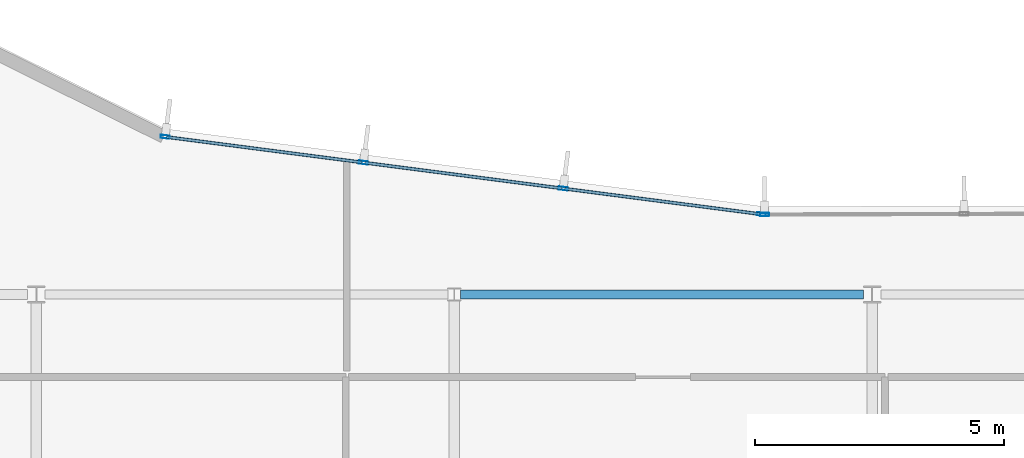
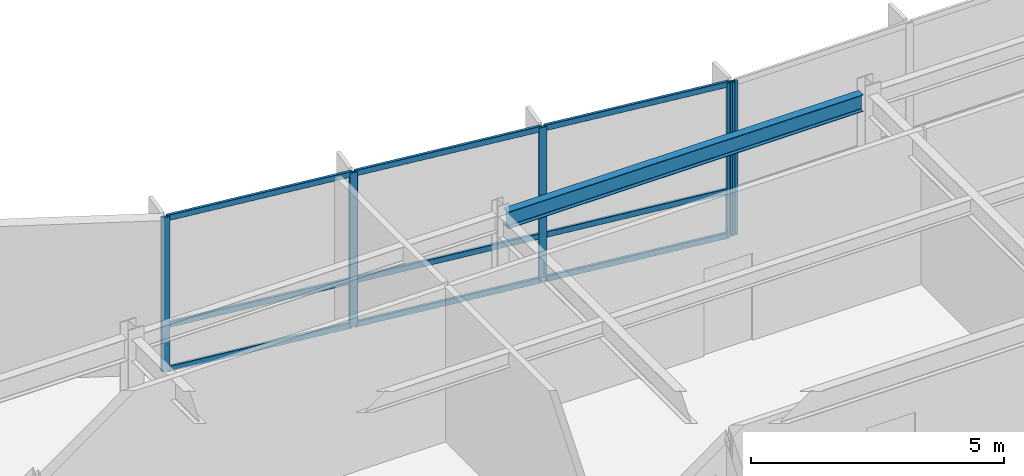
# One storey, part 6 of 15: 14 members, 1 beam, 2 elements without a shape of their own.
"""IFC4 building model written with IfcOpenShell, lengths in metres."""

from ifc_helpers import new_model, si_unit, direction, frame, origin, origin_2d, place, context, subcontext, project, spatial, hollow_rectangle, i_section, extrude, material, layer, layer_set, material_profile, profile_set, type_object, element, aggregate, save


model = new_model("IFC4")

# Units and contexts
model_context = context("Model", 3, precision=1e-05, world=origin(), true_north=direction((0.0, 1.0)))
body_context = subcontext(model_context, "Body", "Model", "MODEL_VIEW")
ifc_project = project(units=[si_unit("LENGTHUNIT", "METRE"), si_unit("AREAUNIT", "SQUARE_METRE"), si_unit("VOLUMEUNIT", "CUBIC_METRE"), si_unit("PLANEANGLEUNIT", "RADIAN"), si_unit("MASSUNIT", "GRAM", prefix="KILO")], contexts=[model_context])

# Site, building, storey
site_placement = place(None, origin())
site = spatial("IfcSite", under=ifc_project, at=site_placement, CompositionType="ELEMENT")
building_placement = place(site_placement, origin())
building = spatial("IfcBuilding", under=site, at=building_placement, Name="Varnakote Quay Hospital", CompositionType="ELEMENT")
storey_placement = place(building_placement, frame((0.0, 0.0, 252.60009765625)))
storey = spatial("IfcBuildingStorey", under=building, at=storey_placement, Name="L62", CompositionType="ELEMENT", Elevation=252.60009765625)

# Curtain wall, member
ifc_material_1 = material(Name="Anodised aluminium 6063-T6 Bronze", Category="aluminium")
ifc_layer = layer(ifc_material_1, 0.235107421875)
ifc_layer_set = layer_set([ifc_layer], Name="Anodised aluminium 6063-T6 Bronze")
curtain_wall_type = type_object("IfcCurtainWallType", Name="CW-SYS-5", PredefinedType="NOTDEFINED", material=ifc_layer_set)
curtain_wall_1_placement = place(storey_placement, origin())
curtain_wall_1 = element("IfcCurtainWall", 1, at=curtain_wall_1_placement, inside=storey, type_object=curtain_wall_type, Name="L62 Unitised Bronze Curtain Wall 1", PredefinedType="NOTDEFINED")
ifc_material_2 = material(Name="Anodised aluminium 6063-T6 Bronze", Category="aluminium")
ifc_material_profile_1 = material_profile(ifc_material_2, hollow_rectangle(XDim=0.06494140625, YDim=0.179931640625, WallThickness=0.00390625, InnerFilletRadius=0.00390625, OuterFilletRadius=0.008056640625, at=origin_2d()), Name="CW-MULL-180x65")
ifc_profile_set_1 = profile_set([ifc_material_profile_1], Name="Anodised aluminium 6063-T6 Bronze")
member_type_1 = type_object("IfcMemberType", Name="CW-MULL-180x65", PredefinedType="MULLION", material=ifc_profile_set_1)
member_1_placement = place(storey_placement, frame((31.4384765625, 30.408203125, 0.0), z_axis=(0.0, 0.0, 1.0), x_axis=(0.002604222224, -0.999996609008, 0.0)))
member_1 = element("IfcMember", 2, at=member_1_placement, type_object=member_type_1, Name="-5-L62-1 mullion 4", PredefinedType="MULLION", context=body_context, shape_type="SweptSolid", body=[
    extrude(hollow_rectangle(XDim=0.06494140625, YDim=0.179931640625, WallThickness=0.00390625, InnerFilletRadius=0.00390625, OuterFilletRadius=0.008056640625, at=origin_2d()), origin(), (0.0, 0.0, 1.0), 3.7099609375),
])
aggregate(curtain_wall_1, [member_1])

# Curtain wall, members
curtain_wall_2_placement = place(storey_placement, origin())
curtain_wall_2 = element("IfcCurtainWall", 3, at=curtain_wall_2_placement, inside=storey, type_object=curtain_wall_type, Name="L62 Unitised Bronze Curtain Wall 2", PredefinedType="NOTDEFINED")
member_2_placement = place(storey_placement, frame((31.373779296875, 30.412109375, 0.0), z_axis=(0.0, 0.0, 1.0), x_axis=(-0.128787109389, -0.99167226464, 0.0)))
member_2 = element("IfcMember", 4, at=member_2_placement, type_object=member_type_1, Name="-5-L62-2 mullion 1", PredefinedType="MULLION", context=body_context, shape_type="SweptSolid", body=[
    extrude(hollow_rectangle(XDim=0.06494140625, YDim=0.179931640625, WallThickness=0.00390625, InnerFilletRadius=0.00390625, OuterFilletRadius=0.008056640625, at=origin_2d()), origin(), (0.0, 0.0, 1.0), 3.7099609375),
])
member_3_placement = place(storey_placement, frame((27.3896484375, 30.9296875, 0.0), z_axis=(0.0, 0.0, 1.0), x_axis=(-0.128787109389, -0.99167226464, 0.0)))
member_3 = element("IfcMember", 5, at=member_3_placement, type_object=member_type_1, Name="-5-L62-2 mullion 2", PredefinedType="MULLION", context=body_context, shape_type="SweptSolid", body=[
    extrude(hollow_rectangle(XDim=0.06494140625, YDim=0.179931640625, WallThickness=0.00390625, InnerFilletRadius=0.00390625, OuterFilletRadius=0.008056640625, at=origin_2d()), origin(), (0.0, 0.0, 1.0), 3.7099609375),
])
member_4_placement = place(storey_placement, frame((23.373046875, 31.451171875, 0.0), z_axis=(0.0, 0.0, 1.0), x_axis=(-0.128787109389, -0.99167226464, 0.0)))
member_4 = element("IfcMember", 6, at=member_4_placement, type_object=member_type_1, Name="-5-L62-2 mullion 3", PredefinedType="MULLION", context=body_context, shape_type="SweptSolid", body=[
    extrude(hollow_rectangle(XDim=0.06494140625, YDim=0.179931640625, WallThickness=0.00390625, InnerFilletRadius=0.00390625, OuterFilletRadius=0.008056640625, at=origin_2d()), origin(), (0.0, 0.0, 1.0), 3.7099609375),
])
member_5_placement = place(storey_placement, frame((19.388916015625, 31.968505859375, 0.0), z_axis=(0.0, 0.0, 1.0), x_axis=(-0.128787109389, -0.99167226464, 0.0)))
member_5 = element("IfcMember", 7, at=member_5_placement, type_object=member_type_1, Name="-5-L62-2 mullion 4", PredefinedType="MULLION", context=body_context, shape_type="SweptSolid", body=[
    extrude(hollow_rectangle(XDim=0.06494140625, YDim=0.179931640625, WallThickness=0.00390625, InnerFilletRadius=0.00390625, OuterFilletRadius=0.008056640625, at=origin_2d()), origin(), (0.0, 0.0, 1.0), 3.7099609375),
])
ifc_material_3 = material(Name="Anodised aluminium 6063-T6 Bronze", Category="aluminium")
ifc_material_profile_2 = material_profile(ifc_material_3, hollow_rectangle(XDim=0.06494140625, YDim=0.139892578125, WallThickness=0.00390625, InnerFilletRadius=0.00390625, OuterFilletRadius=0.007568359375, at=origin_2d()), Name="CW-TRAN-140x65")
ifc_profile_set_2 = profile_set([ifc_material_profile_2], Name="Anodised aluminium 6063-T6 Bronze")
member_type_2 = type_object("IfcMemberType", Name="CW-TRAN-140x65", PredefinedType="USERDEFINED", material=ifc_profile_set_2)
member_6_placement = place(storey_placement, frame((31.341552734375, 30.416259765625, 0.032470703125), z_axis=(-0.991672585768, 0.128784636644, 0.0), x_axis=(-0.128784636644, -0.991672585768, 0.0)))
member_6 = element("IfcMember", 8, at=member_6_placement, type_object=member_type_2, Name="-5-L62-2 transom 1.1", ObjectType="TRANSOM", PredefinedType="USERDEFINED", context=body_context, shape_type="SweptSolid", body=[
    extrude(hollow_rectangle(XDim=0.06494140625, YDim=0.139892578125, WallThickness=0.00390625, InnerFilletRadius=0.00390625, OuterFilletRadius=0.007568359375, at=origin_2d()), origin(), (0.0, 0.0, 1.0), 3.95263671875),
])
member_7_placement = place(storey_placement, frame((31.341552734375, 30.416259765625, 1.099853515625), z_axis=(-0.991672585768, 0.128784636644, 0.0), x_axis=(-0.128784636644, -0.991672585768, 0.0)))
member_7 = element("IfcMember", 9, at=member_7_placement, type_object=member_type_2, Name="-5-L62-2 transom 1.2", ObjectType="TRANSOM", PredefinedType="USERDEFINED", context=body_context, shape_type="SweptSolid", body=[
    extrude(hollow_rectangle(XDim=0.06494140625, YDim=0.139892578125, WallThickness=0.00390625, InnerFilletRadius=0.00390625, OuterFilletRadius=0.007568359375, at=origin_2d()), origin(), (0.0, 0.0, 1.0), 3.95263671875),
])
member_8_placement = place(storey_placement, frame((31.341552734375, 30.416259765625, 3.677490234375), z_axis=(-0.991672585768, 0.128784636644, 0.0), x_axis=(-0.128784636644, -0.991672585768, 0.0)))
member_8 = element("IfcMember", 10, at=member_8_placement, type_object=member_type_2, Name="-5-L62-2 transom 1.3", ObjectType="TRANSOM", PredefinedType="USERDEFINED", context=body_context, shape_type="SweptSolid", body=[
    extrude(hollow_rectangle(XDim=0.06494140625, YDim=0.139892578125, WallThickness=0.00390625, InnerFilletRadius=0.00390625, OuterFilletRadius=0.007568359375, at=origin_2d()), origin(), (0.0, 0.0, 1.0), 3.95263671875),
])
member_9_placement = place(storey_placement, frame((27.357421875, 30.933837890625, 0.032470703125), z_axis=(-0.991673699284, 0.128776062019, 0.0), x_axis=(-0.128776062019, -0.991673699284, 0.0)))
member_9 = element("IfcMember", 11, at=member_9_placement, type_object=member_type_2, Name="-5-L62-2 transom 2.1", ObjectType="TRANSOM", PredefinedType="USERDEFINED", context=body_context, shape_type="SweptSolid", body=[
    extrude(hollow_rectangle(XDim=0.06494140625, YDim=0.139892578125, WallThickness=0.00390625, InnerFilletRadius=0.00390625, OuterFilletRadius=0.007568359375, at=origin_2d()), origin(), (0.0, 0.0, 1.0), 3.985107421875),
])
member_10_placement = place(storey_placement, frame((27.357421875, 30.933837890625, 1.099853515625), z_axis=(-0.991673699284, 0.128776062019, 0.0), x_axis=(-0.128776062019, -0.991673699284, 0.0)))
member_10 = element("IfcMember", 12, at=member_10_placement, type_object=member_type_2, Name="-5-L62-2 transom 2.2", ObjectType="TRANSOM", PredefinedType="USERDEFINED", context=body_context, shape_type="SweptSolid", body=[
    extrude(hollow_rectangle(XDim=0.06494140625, YDim=0.139892578125, WallThickness=0.00390625, InnerFilletRadius=0.00390625, OuterFilletRadius=0.007568359375, at=origin_2d()), origin(), (0.0, 0.0, 1.0), 3.985107421875),
])
member_11_placement = place(storey_placement, frame((27.357421875, 30.933837890625, 3.677490234375), z_axis=(-0.991673699284, 0.128776062019, 0.0), x_axis=(-0.128776062019, -0.991673699284, 0.0)))
member_11 = element("IfcMember", 13, at=member_11_placement, type_object=member_type_2, Name="-5-L62-2 transom 2.3", ObjectType="TRANSOM", PredefinedType="USERDEFINED", context=body_context, shape_type="SweptSolid", body=[
    extrude(hollow_rectangle(XDim=0.06494140625, YDim=0.139892578125, WallThickness=0.00390625, InnerFilletRadius=0.00390625, OuterFilletRadius=0.007568359375, at=origin_2d()), origin(), (0.0, 0.0, 1.0), 3.985107421875),
])
member_12_placement = place(storey_placement, frame((23.3408203125, 31.455322265625, 0.032470703125), z_axis=(-0.991672585768, 0.128784636644, 0.0), x_axis=(-0.128784636644, -0.991672585768, 0.0)))
member_12 = element("IfcMember", 14, at=member_12_placement, type_object=member_type_2, Name="-5-L62-2 transom 3.1", ObjectType="TRANSOM", PredefinedType="USERDEFINED", context=body_context, shape_type="SweptSolid", body=[
    extrude(hollow_rectangle(XDim=0.06494140625, YDim=0.139892578125, WallThickness=0.00390625, InnerFilletRadius=0.00390625, OuterFilletRadius=0.007568359375, at=origin_2d()), origin(), (0.0, 0.0, 1.0), 3.95263671875),
])
member_13_placement = place(storey_placement, frame((23.3408203125, 31.455322265625, 1.099853515625), z_axis=(-0.991672585768, 0.128784636644, 0.0), x_axis=(-0.128784636644, -0.991672585768, 0.0)))
member_13 = element("IfcMember", 15, at=member_13_placement, type_object=member_type_2, Name="-5-L62-2 transom 3.2", ObjectType="TRANSOM", PredefinedType="USERDEFINED", context=body_context, shape_type="SweptSolid", body=[
    extrude(hollow_rectangle(XDim=0.06494140625, YDim=0.139892578125, WallThickness=0.00390625, InnerFilletRadius=0.00390625, OuterFilletRadius=0.007568359375, at=origin_2d()), origin(), (0.0, 0.0, 1.0), 3.95263671875),
])
member_14_placement = place(storey_placement, frame((23.3408203125, 31.455322265625, 3.677490234375), z_axis=(-0.991672585768, 0.128784636644, 0.0), x_axis=(-0.128784636644, -0.991672585768, 0.0)))
member_14 = element("IfcMember", 16, at=member_14_placement, type_object=member_type_2, Name="-5-L62-2 transom 3.3", ObjectType="TRANSOM", PredefinedType="USERDEFINED", context=body_context, shape_type="SweptSolid", body=[
    extrude(hollow_rectangle(XDim=0.06494140625, YDim=0.139892578125, WallThickness=0.00390625, InnerFilletRadius=0.00390625, OuterFilletRadius=0.007568359375, at=origin_2d()), origin(), (0.0, 0.0, 1.0), 3.95263671875),
])
aggregate(curtain_wall_2, [member_2, member_3, member_4, member_5, member_6, member_7, member_8, member_9, member_10, member_11, member_12, member_13, member_14])

# Beam
ifc_material_4 = material(Name="Structural steel AS/NZS 3679.1 Grade 350 L0 (fy 340 MPa)", Category="steel")
ifc_material_profile_3 = material_profile(ifc_material_4, i_section(OverallWidth=0.177978515625, OverallDepth=0.406005859375, WebThickness=0.0078125, FlangeThickness=0.0126953125, FilletRadius=0.011474609375, at=origin_2d()), Name="410UB59.7")
ifc_profile_set_3 = profile_set([ifc_material_profile_3], Name="Structural steel AS/NZS 3679.1 Grade 350 L0 (fy 340 MPa)")
beam_type = type_object("IfcBeamType", Name="SPN-STL-410UB59-7", PredefinedType="SPANDREL", material=ifc_profile_set_3)
beam_placement = place(storey_placement, frame((25.326904296875, 28.800048828125, 3.5068359375), z_axis=(1.0, 0.0, 0.0), x_axis=(0.0, 1.0, 0.0)))
element("IfcBeam", 17, at=beam_placement, inside=storey, type_object=beam_type, Name="L62 Perimeter Spandrel Beam", PredefinedType="SPANDREL", context=body_context, shape_type="SweptSolid", body=[
    extrude(i_section(OverallWidth=0.177978515625, OverallDepth=0.406005859375, WebThickness=0.0078125, FlangeThickness=0.0126953125, FilletRadius=0.011474609375, at=origin_2d()), origin(), (0.0, 0.0, 1.0), 8.09814453125),
])

save(model, "model.ifc")
